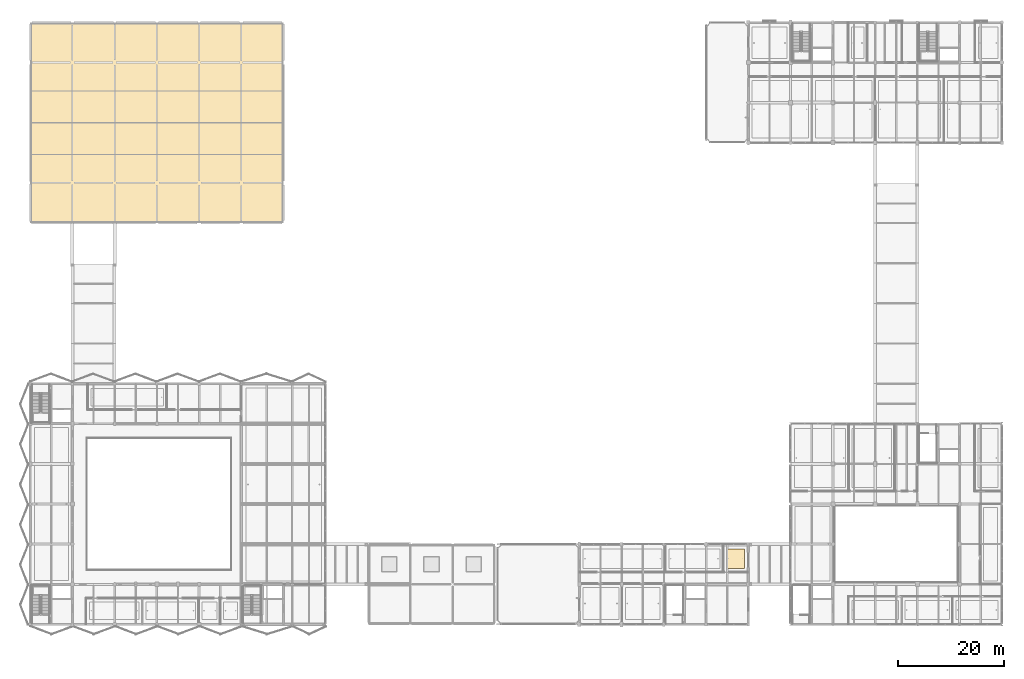
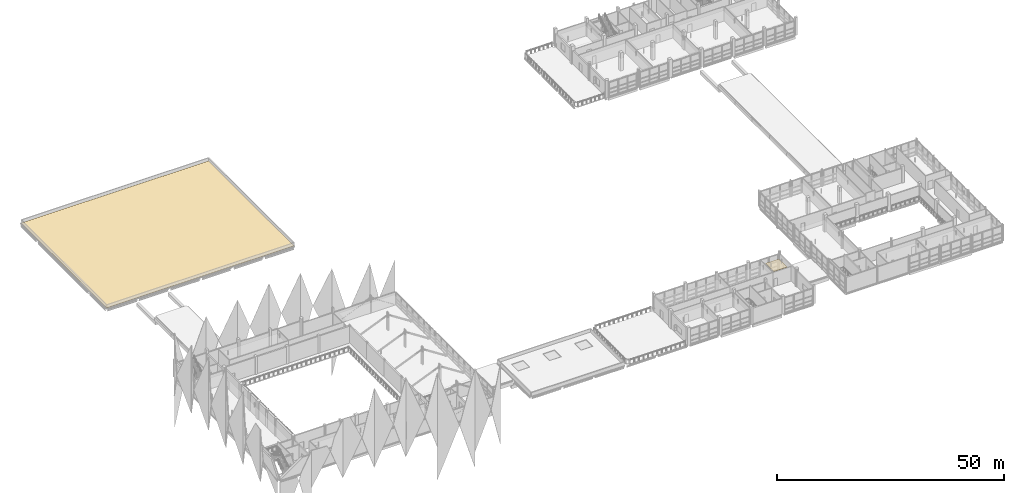
# One storey, part 104 of 107: 2 coverings.
"""IFC4 building model written with IfcOpenShell, lengths in metres."""

from ifc_helpers import new_model, si_unit, direction, frame, origin, place, context, subcontext, project, spatial, polyline, outline, extrude, material, layer, layer_set, type_object, element, save


model = new_model("IFC4")

# Units and contexts
model_context = context("Model", 3, precision=1e-05, world=origin(), true_north=direction((0.0, 1.0)))
body_context = subcontext(model_context, "Body", "Model", "MODEL_VIEW")
ifc_project = project(units=[si_unit("LENGTHUNIT", "METRE"), si_unit("AREAUNIT", "SQUARE_METRE"), si_unit("VOLUMEUNIT", "CUBIC_METRE"), si_unit("PLANEANGLEUNIT", "RADIAN"), si_unit("MASSUNIT", "GRAM", prefix="KILO")], contexts=[model_context])

# Site, building, storey
site_placement = place(None, origin())
site = spatial("IfcSite", under=ifc_project, at=site_placement, CompositionType="ELEMENT")
building_placement = place(site_placement, origin())
building = spatial("IfcBuilding", under=site, at=building_placement, Name="Khelvaren Railside Concert Hall", CompositionType="ELEMENT")
storey_placement = place(building_placement, frame((0.0, 0.0, 15.0)))
storey = spatial("IfcBuildingStorey", under=building, at=storey_placement, Name="L03", CompositionType="ELEMENT", Elevation=15.0)

# Coverings
ifc_material_1 = material(Name="Mineral-wool acoustic baffle ceiling", Category="gypsum")
ifc_layer_1 = layer(ifc_material_1, 0.0400390625)
ifc_layer_set_1 = layer_set([ifc_layer_1], Name="Mineral-wool acoustic baffle ceiling")
covering_type_1 = type_object("IfcCoveringType", Name="CLG20", PredefinedType="CEILING", material=ifc_layer_set_1)
covering_1_placement = place(storey_placement, frame((0.0, 0.0, 3.409912109375)))
element("IfcCovering", 1, at=covering_1_placement, inside=storey, type_object=covering_type_1, Name="Suspended Acoustic Ceiling Salon Accessible WC", PredefinedType="CEILING", context=body_context, shape_type="SweptSolid", body=[
    extrude(outline(polyline([(131.885009765625, 10.6298828125), (135.2900390625, 10.6298828125), (135.2900390625, 14.27001953125), (131.885009765625, 14.27001953125), (131.885009765625, 10.6298828125)])), origin(), (0.0, 0.0, 1.0), 0.0400390625),
])
ifc_material_2 = material(Name="Standing-seam acoustic zinc and waterproof membrane", Category="steel")
ifc_layer_2 = layer(ifc_material_2, 0.050048828125)
ifc_layer_set_2 = layer_set([ifc_layer_2], Name="Standing-seam acoustic zinc and waterproof membrane")
covering_type_2 = type_object("IfcCoveringType", Name="RFG46", PredefinedType="ROOFING", material=ifc_layer_set_2)
covering_2_placement = place(storey_placement, origin())
element("IfcCovering", 2, at=covering_2_placement, inside=storey, type_object=covering_type_2, Name="Acoustic Standing-Seam Roofing V4-L03", PredefinedType="ROOFING", context=body_context, shape_type="SweptSolid", body=[
    extrude(outline(polyline([(0.199951171875, 76.199951171875), (47.800048828125, 76.199951171875), (47.800048828125, 113.800048828125), (0.199951171875, 113.800048828125), (0.199951171875, 76.199951171875)])), origin(), (0.0, 0.0, 1.0), 0.050048828125),
])

save(model, "model.ifc")
